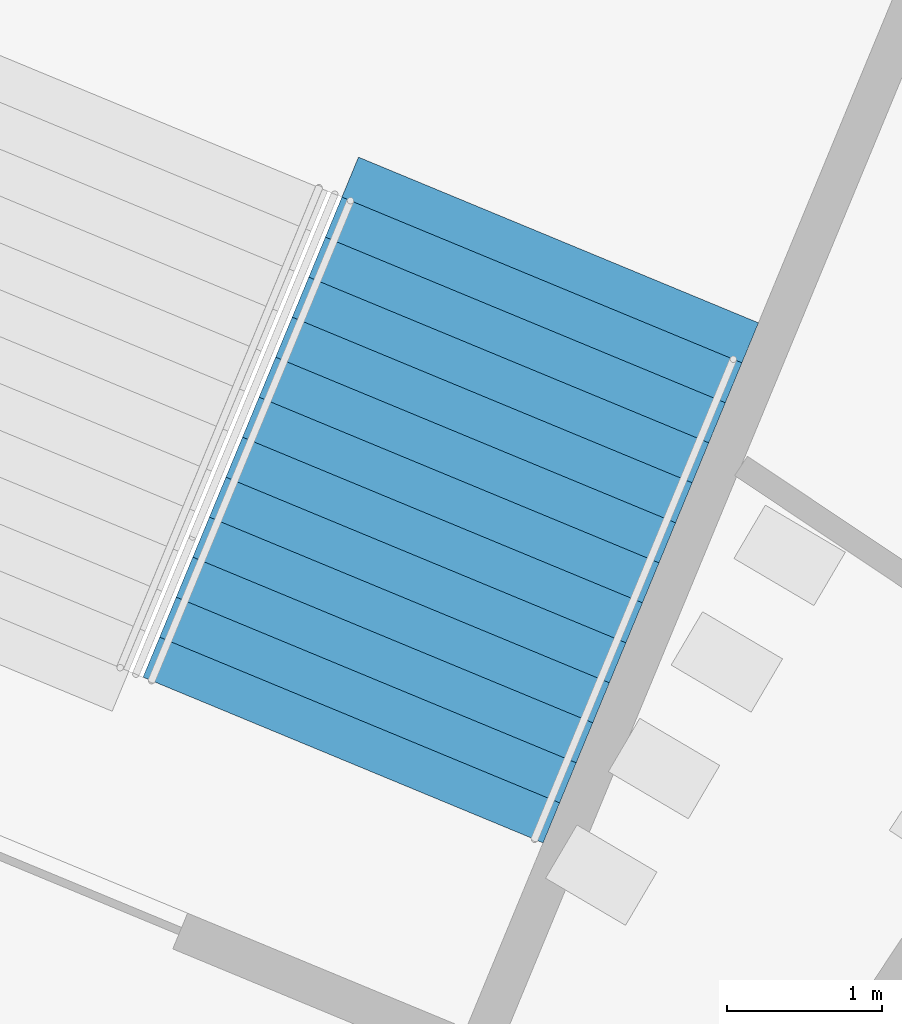
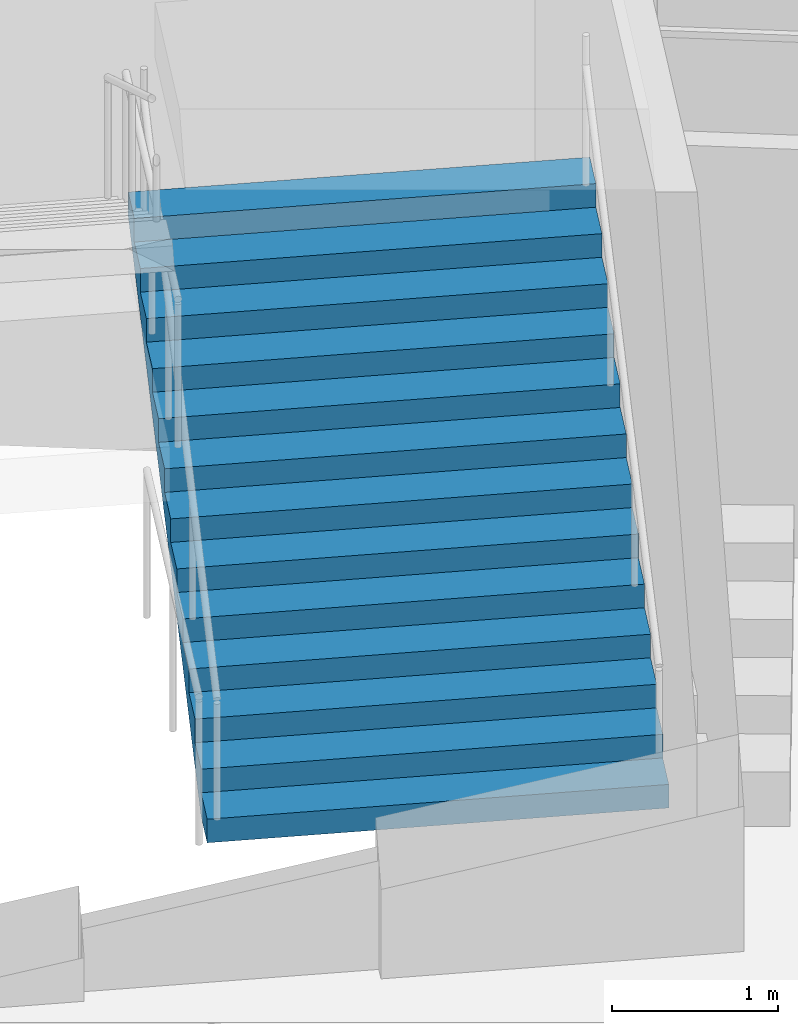
# One storey, part 163 of 177: 1 stair flight, 1 element without a shape of its own.
"""IFC4 building model written with IfcOpenShell, lengths in metres."""

from ifc_helpers import new_model, si_unit, direction, frame, origin, place, context, subcontext, project, spatial, faceted_brep, material, type_object, element, aggregate, save


model = new_model("IFC4")

# Units and contexts
model_context = context("Model", 3, precision=1e-05, world=origin(), true_north=direction((0.0, 1.0)))
body_context = subcontext(model_context, "Body", "Model", "MODEL_VIEW")
ifc_project = project(units=[si_unit("LENGTHUNIT", "METRE"), si_unit("AREAUNIT", "SQUARE_METRE"), si_unit("VOLUMEUNIT", "CUBIC_METRE"), si_unit("PLANEANGLEUNIT", "RADIAN"), si_unit("MASSUNIT", "GRAM", prefix="KILO")], contexts=[model_context])

# Site, building, storey
site_placement = place(None, origin())
site = spatial("IfcSite", under=ifc_project, at=site_placement, CompositionType="ELEMENT")
building_placement = place(site_placement, origin())
building = spatial("IfcBuilding", under=site, at=building_placement, Name="Ogive Plaza Stadium", CompositionType="ELEMENT")
storey_placement = place(building_placement, frame((0.0, 0.0, 18.0)))
storey = spatial("IfcBuildingStorey", under=building, at=storey_placement, Name="L04", CompositionType="ELEMENT", Elevation=18.0)

# Stair, stair flight
ifc_material_1 = material(Name="Concrete C40/50", Category="concrete")
stair_type = type_object("IfcStairType", Name="Exit stair", PredefinedType="STRAIGHT_RUN_STAIR", material=ifc_material_1)
stair_placement = place(storey_placement, origin())
stair = element("IfcStair", 1, at=stair_placement, inside=storey, type_object=stair_type, Name="Exit stair ST38A L04 to L05", PredefinedType="STRAIGHT_RUN_STAIR")
ifc_material_2 = material(Name="Concrete C40/50", Category="concrete")
stair_flight_type = type_object("IfcStairFlightType", Name="Exit stair flight", PredefinedType="STRAIGHT", material=ifc_material_2)
stair_flight_placement = place(storey_placement, frame((54.294921875, 89.932861328125, 0.0), z_axis=(0.0, 0.0, 1.0), x_axis=(0.382683432365, 0.923879532511, 0.0)))
stair_flight = element("IfcStairFlight", 2, at=stair_flight_placement, type_object=stair_flight_type, Name="ST38A flight 1", NumberOfRisers=13, NumberOfTreads=12, PredefinedType="STRAIGHT", RiserHeight=0.173076923, TreadLength=0.28, context=body_context, shape_type="Brep", body=[
    faceted_brep([(0.28515625, -1.39990234375, 0.0), (3.639892578125, -1.39990234375, 2.07373046875), (3.639892578125, -1.39990234375, 2.25), (3.360107421875, -1.39990234375, 2.25), (3.360107421875, -1.39990234375, 2.076904296875), (3.080078125, -1.39990234375, 2.076904296875), (3.080078125, -1.39990234375, 1.90380859375), (2.800048828125, -1.39990234375, 1.90380859375), (2.800048828125, -1.39990234375, 1.730712890625), (2.52001953125, -1.39990234375, 1.730712890625), (2.52001953125, -1.39990234375, 1.5576171875), (2.239990234375, -1.39990234375, 1.5576171875), (2.239990234375, -1.39990234375, 1.384521484375), (1.9599609375, -1.39990234375, 1.384521484375), (1.9599609375, -1.39990234375, 1.21142578125), (1.679931640625, -1.39990234375, 1.21142578125), (1.679931640625, -1.39990234375, 1.03857421875), (1.39990234375, -1.39990234375, 1.03857421875), (1.39990234375, -1.39990234375, 0.865478515625), (1.1201171875, -1.39990234375, 0.865478515625), (1.1201171875, -1.39990234375, 0.6923828125), (0.840087890625, -1.39990234375, 0.6923828125), (0.840087890625, -1.39990234375, 0.519287109375), (0.56005859375, -1.39990234375, 0.519287109375), (0.56005859375, -1.39990234375, 0.34619140625), (0.280029296875, -1.39990234375, 0.34619140625), (0.280029296875, -1.39990234375, 0.173095703125), (0.0, -1.39990234375, 0.173095703125), (0.0, -1.39990234375, 0.0), (0.0, 1.39990234375, 0.0), (0.0, 1.39990234375, 0.173095703125), (0.280029296875, 1.39990234375, 0.173095703125), (0.280029296875, 1.39990234375, 0.34619140625), (0.56005859375, 1.39990234375, 0.34619140625), (0.56005859375, 1.39990234375, 0.519287109375), (0.840087890625, 1.39990234375, 0.519287109375), (0.840087890625, 1.39990234375, 0.6923828125), (1.1201171875, 1.39990234375, 0.6923828125), (1.1201171875, 1.39990234375, 0.865478515625), (1.39990234375, 1.39990234375, 0.865478515625), (1.39990234375, 1.39990234375, 1.03857421875), (1.679931640625, 1.39990234375, 1.03857421875), (1.679931640625, 1.39990234375, 1.21142578125), (1.9599609375, 1.39990234375, 1.21142578125), (1.9599609375, 1.39990234375, 1.384521484375), (2.239990234375, 1.39990234375, 1.384521484375), (2.239990234375, 1.39990234375, 1.5576171875), (2.52001953125, 1.39990234375, 1.5576171875), (2.52001953125, 1.39990234375, 1.730712890625), (2.800048828125, 1.39990234375, 1.730712890625), (2.800048828125, 1.39990234375, 1.90380859375), (3.080078125, 1.39990234375, 1.90380859375), (3.080078125, 1.39990234375, 2.076904296875), (3.360107421875, 1.39990234375, 2.076904296875), (3.360107421875, 1.39990234375, 2.25), (3.639892578125, 1.39990234375, 2.25), (3.639892578125, 1.39990234375, 2.07373046875), (0.28515625, 1.39990234375, 0.0), (0.28515625, -1.0888671875, 0.0), (3.639892578125, -1.0888671875, 2.07373046875), (0.28515625, -0.77783203125, 0.0), (3.639892578125, -0.77783203125, 2.07373046875), (0.28515625, -0.466796875, 0.0), (3.639892578125, -0.466796875, 2.07373046875), (0.28515625, -0.155517578125, 0.0), (3.639892578125, -0.155517578125, 2.07373046875), (0.28515625, 0.155517578125, 0.0), (3.639892578125, 0.155517578125, 2.07373046875), (0.28515625, 0.466796875, 0.0), (3.639892578125, 0.466796875, 2.07373046875), (0.28515625, 0.77783203125, 0.0), (3.639892578125, 0.77783203125, 2.07373046875), (0.28515625, 1.0888671875, 0.0), (3.639892578125, 1.0888671875, 2.07373046875), (3.639892578125, -1.0888671875, 2.25), (3.639892578125, -0.77783203125, 2.25), (3.639892578125, -0.466796875, 2.25), (3.639892578125, -0.155517578125, 2.25), (3.639892578125, 0.155517578125, 2.25), (3.639892578125, 0.466796875, 2.25), (3.639892578125, 0.77783203125, 2.25), (3.639892578125, 1.0888671875, 2.25), (3.360107421875, -1.0888671875, 2.25), (3.360107421875, -0.77783203125, 2.25), (3.360107421875, -0.466796875, 2.25), (3.360107421875, -0.155517578125, 2.25), (3.360107421875, 0.155517578125, 2.25), (3.360107421875, 0.466796875, 2.25), (3.360107421875, 0.77783203125, 2.25), (3.360107421875, 1.0888671875, 2.25), (3.360107421875, -1.0888671875, 2.076904296875), (3.360107421875, -0.77783203125, 2.076904296875), (3.360107421875, -0.466796875, 2.076904296875), (3.360107421875, -0.155517578125, 2.076904296875), (3.360107421875, 0.155517578125, 2.076904296875), (3.360107421875, 0.466796875, 2.076904296875), (3.360107421875, 0.77783203125, 2.076904296875), (3.360107421875, 1.0888671875, 2.076904296875), (3.080078125, -1.0888671875, 2.076904296875), (3.080078125, -0.77783203125, 2.076904296875), (3.080078125, -0.466796875, 2.076904296875), (3.080078125, -0.155517578125, 2.076904296875), (3.080078125, 0.155517578125, 2.076904296875), (3.080078125, 0.466796875, 2.076904296875), (3.080078125, 0.77783203125, 2.076904296875), (3.080078125, 1.0888671875, 2.076904296875), (3.080078125, -1.0888671875, 1.90380859375), (3.080078125, -0.77783203125, 1.90380859375), (3.080078125, -0.466796875, 1.90380859375), (3.080078125, -0.155517578125, 1.90380859375), (3.080078125, 0.155517578125, 1.90380859375), (3.080078125, 0.466796875, 1.90380859375), (3.080078125, 0.77783203125, 1.90380859375), (3.080078125, 1.0888671875, 1.90380859375), (2.800048828125, -1.0888671875, 1.90380859375), (2.800048828125, -0.77783203125, 1.90380859375), (2.800048828125, -0.466796875, 1.90380859375), (2.800048828125, -0.155517578125, 1.90380859375), (2.800048828125, 0.155517578125, 1.90380859375), (2.800048828125, 0.466796875, 1.90380859375), (2.800048828125, 0.77783203125, 1.90380859375), (2.800048828125, 1.0888671875, 1.90380859375), (2.800048828125, -1.0888671875, 1.730712890625), (2.800048828125, -0.77783203125, 1.730712890625), (2.800048828125, -0.466796875, 1.730712890625), (2.800048828125, -0.155517578125, 1.730712890625), (2.800048828125, 0.155517578125, 1.730712890625), (2.800048828125, 0.466796875, 1.730712890625), (2.800048828125, 0.77783203125, 1.730712890625), (2.800048828125, 1.0888671875, 1.730712890625), (2.52001953125, -1.0888671875, 1.730712890625), (2.52001953125, -0.77783203125, 1.730712890625), (2.52001953125, -0.466796875, 1.730712890625), (2.52001953125, -0.155517578125, 1.730712890625), (2.52001953125, 0.155517578125, 1.730712890625), (2.52001953125, 0.466796875, 1.730712890625), (2.52001953125, 0.77783203125, 1.730712890625), (2.52001953125, 1.0888671875, 1.730712890625), (2.52001953125, -1.0888671875, 1.5576171875), (2.52001953125, -0.77783203125, 1.5576171875), (2.52001953125, -0.466796875, 1.5576171875), (2.52001953125, -0.155517578125, 1.5576171875), (2.52001953125, 0.155517578125, 1.5576171875), (2.52001953125, 0.466796875, 1.5576171875), (2.52001953125, 0.77783203125, 1.5576171875), (2.52001953125, 1.0888671875, 1.5576171875), (2.239990234375, -1.0888671875, 1.5576171875), (2.239990234375, -0.77783203125, 1.5576171875), (2.239990234375, -0.466796875, 1.5576171875), (2.239990234375, -0.155517578125, 1.5576171875), (2.239990234375, 0.155517578125, 1.5576171875), (2.239990234375, 0.466796875, 1.5576171875), (2.239990234375, 0.77783203125, 1.5576171875), (2.239990234375, 1.0888671875, 1.5576171875), (2.239990234375, -1.0888671875, 1.384521484375), (2.239990234375, -0.77783203125, 1.384521484375), (2.239990234375, -0.466796875, 1.384521484375), (2.239990234375, -0.155517578125, 1.384521484375), (2.239990234375, 0.155517578125, 1.384521484375), (2.239990234375, 0.466796875, 1.384521484375), (2.239990234375, 0.77783203125, 1.384521484375), (2.239990234375, 1.0888671875, 1.384521484375), (1.9599609375, -1.0888671875, 1.384521484375), (1.9599609375, -0.77783203125, 1.384521484375), (1.9599609375, -0.466796875, 1.384521484375), (1.9599609375, -0.155517578125, 1.384521484375), (1.9599609375, 0.155517578125, 1.384521484375), (1.9599609375, 0.466796875, 1.384521484375), (1.9599609375, 0.77783203125, 1.384521484375), (1.9599609375, 1.0888671875, 1.384521484375), (1.9599609375, -1.0888671875, 1.21142578125), (1.9599609375, -0.77783203125, 1.21142578125), (1.9599609375, -0.466796875, 1.21142578125), (1.9599609375, -0.155517578125, 1.21142578125), (1.9599609375, 0.155517578125, 1.21142578125), (1.9599609375, 0.466796875, 1.21142578125), (1.9599609375, 0.77783203125, 1.21142578125), (1.9599609375, 1.0888671875, 1.21142578125), (1.679931640625, -1.0888671875, 1.21142578125), (1.679931640625, -0.77783203125, 1.21142578125), (1.679931640625, -0.466796875, 1.21142578125), (1.679931640625, -0.155517578125, 1.21142578125), (1.679931640625, 0.155517578125, 1.21142578125), (1.679931640625, 0.466796875, 1.21142578125), (1.679931640625, 0.77783203125, 1.21142578125), (1.679931640625, 1.0888671875, 1.21142578125), (1.679931640625, -1.0888671875, 1.03857421875), (1.679931640625, -0.77783203125, 1.03857421875), (1.679931640625, -0.466796875, 1.03857421875), (1.679931640625, -0.155517578125, 1.03857421875), (1.679931640625, 0.155517578125, 1.03857421875), (1.679931640625, 0.466796875, 1.03857421875), (1.679931640625, 0.77783203125, 1.03857421875), (1.679931640625, 1.0888671875, 1.03857421875), (1.39990234375, -1.0888671875, 1.03857421875), (1.39990234375, -0.77783203125, 1.03857421875), (1.39990234375, -0.466796875, 1.03857421875), (1.39990234375, -0.155517578125, 1.03857421875), (1.39990234375, 0.155517578125, 1.03857421875), (1.39990234375, 0.466796875, 1.03857421875), (1.39990234375, 0.77783203125, 1.03857421875), (1.39990234375, 1.0888671875, 1.03857421875), (1.39990234375, -1.0888671875, 0.865478515625), (1.39990234375, -0.77783203125, 0.865478515625), (1.39990234375, -0.466796875, 0.865478515625), (1.39990234375, -0.155517578125, 0.865478515625), (1.39990234375, 0.155517578125, 0.865478515625), (1.39990234375, 0.466796875, 0.865478515625), (1.39990234375, 0.77783203125, 0.865478515625), (1.39990234375, 1.0888671875, 0.865478515625), (1.1201171875, -1.0888671875, 0.865478515625), (1.1201171875, -0.77783203125, 0.865478515625), (1.1201171875, -0.466796875, 0.865478515625), (1.1201171875, -0.155517578125, 0.865478515625), (1.1201171875, 0.155517578125, 0.865478515625), (1.1201171875, 0.466796875, 0.865478515625), (1.1201171875, 0.77783203125, 0.865478515625), (1.1201171875, 1.0888671875, 0.865478515625), (1.1201171875, -1.0888671875, 0.6923828125), (1.1201171875, -0.77783203125, 0.6923828125), (1.1201171875, -0.466796875, 0.6923828125), (1.1201171875, -0.155517578125, 0.6923828125), (1.1201171875, 0.155517578125, 0.6923828125), (1.1201171875, 0.466796875, 0.6923828125), (1.1201171875, 0.77783203125, 0.6923828125), (1.1201171875, 1.0888671875, 0.6923828125), (0.840087890625, -1.0888671875, 0.6923828125), (0.840087890625, -0.77783203125, 0.6923828125), (0.840087890625, -0.466796875, 0.6923828125), (0.840087890625, -0.155517578125, 0.6923828125), (0.840087890625, 0.155517578125, 0.6923828125), (0.840087890625, 0.466796875, 0.6923828125), (0.840087890625, 0.77783203125, 0.6923828125), (0.840087890625, 1.0888671875, 0.6923828125), (0.840087890625, -1.0888671875, 0.519287109375), (0.840087890625, -0.77783203125, 0.519287109375), (0.840087890625, -0.466796875, 0.519287109375), (0.840087890625, -0.155517578125, 0.519287109375), (0.840087890625, 0.155517578125, 0.519287109375), (0.840087890625, 0.466796875, 0.519287109375), (0.840087890625, 0.77783203125, 0.519287109375), (0.840087890625, 1.0888671875, 0.519287109375), (0.56005859375, -1.0888671875, 0.519287109375), (0.56005859375, -0.77783203125, 0.519287109375), (0.56005859375, -0.466796875, 0.519287109375), (0.56005859375, -0.155517578125, 0.519287109375), (0.56005859375, 0.155517578125, 0.519287109375), (0.56005859375, 0.466796875, 0.519287109375), (0.56005859375, 0.77783203125, 0.519287109375), (0.56005859375, 1.0888671875, 0.519287109375), (0.56005859375, -1.0888671875, 0.34619140625), (0.56005859375, -0.77783203125, 0.34619140625), (0.56005859375, -0.466796875, 0.34619140625), (0.56005859375, -0.155517578125, 0.34619140625), (0.56005859375, 0.155517578125, 0.34619140625), (0.56005859375, 0.466796875, 0.34619140625), (0.56005859375, 0.77783203125, 0.34619140625), (0.56005859375, 1.0888671875, 0.34619140625), (0.280029296875, -1.0888671875, 0.34619140625), (0.280029296875, -0.77783203125, 0.34619140625), (0.280029296875, -0.466796875, 0.34619140625), (0.280029296875, -0.155517578125, 0.34619140625), (0.280029296875, 0.155517578125, 0.34619140625), (0.280029296875, 0.466796875, 0.34619140625), (0.280029296875, 0.77783203125, 0.34619140625), (0.280029296875, 1.0888671875, 0.34619140625), (0.280029296875, -1.0888671875, 0.173095703125), (0.280029296875, -0.77783203125, 0.173095703125), (0.280029296875, -0.466796875, 0.173095703125), (0.280029296875, -0.155517578125, 0.173095703125), (0.280029296875, 0.155517578125, 0.173095703125), (0.280029296875, 0.466796875, 0.173095703125), (0.280029296875, 0.77783203125, 0.173095703125), (0.280029296875, 1.0888671875, 0.173095703125), (0.0, -1.0888671875, 0.173095703125), (0.0, -0.77783203125, 0.173095703125), (0.0, -0.466796875, 0.173095703125), (0.0, -0.155517578125, 0.173095703125), (0.0, 0.155517578125, 0.173095703125), (0.0, 0.466796875, 0.173095703125), (0.0, 0.77783203125, 0.173095703125), (0.0, 1.0888671875, 0.173095703125), (0.0, -1.0888671875, 0.0), (0.0, -0.77783203125, 0.0), (0.0, -0.466796875, 0.0), (0.0, -0.155517578125, 0.0), (0.0, 0.155517578125, 0.0), (0.0, 0.466796875, 0.0), (0.0, 0.77783203125, 0.0), (0.0, 1.0888671875, 0.0)], [[[0, 1, 2, 3, 4, 5, 6, 7, 8, 9, 10, 11, 12, 13, 14, 15, 16, 17, 18, 19, 20, 21, 22, 23, 24, 25, 26, 27, 28]], [[29, 30, 31, 32, 33, 34, 35, 36, 37, 38, 39, 40, 41, 42, 43, 44, 45, 46, 47, 48, 49, 50, 51, 52, 53, 54, 55, 56, 57]], [[0, 58, 59, 1]], [[58, 60, 61, 59]], [[60, 62, 63, 61]], [[62, 64, 65, 63]], [[64, 66, 67, 65]], [[66, 68, 69, 67]], [[68, 70, 71, 69]], [[70, 72, 73, 71]], [[72, 57, 56, 73]], [[1, 59, 74, 2]], [[59, 61, 75, 74]], [[61, 63, 76, 75]], [[63, 65, 77, 76]], [[65, 67, 78, 77]], [[67, 69, 79, 78]], [[69, 71, 80, 79]], [[71, 73, 81, 80]], [[73, 56, 55, 81]], [[2, 74, 82, 3]], [[74, 75, 83, 82]], [[75, 76, 84, 83]], [[76, 77, 85, 84]], [[77, 78, 86, 85]], [[78, 79, 87, 86]], [[79, 80, 88, 87]], [[80, 81, 89, 88]], [[81, 55, 54, 89]], [[3, 82, 90, 4]], [[82, 83, 91, 90]], [[83, 84, 92, 91]], [[84, 85, 93, 92]], [[85, 86, 94, 93]], [[86, 87, 95, 94]], [[87, 88, 96, 95]], [[88, 89, 97, 96]], [[89, 54, 53, 97]], [[4, 90, 98, 5]], [[90, 91, 99, 98]], [[91, 92, 100, 99]], [[92, 93, 101, 100]], [[93, 94, 102, 101]], [[94, 95, 103, 102]], [[95, 96, 104, 103]], [[96, 97, 105, 104]], [[97, 53, 52, 105]], [[5, 98, 106, 6]], [[98, 99, 107, 106]], [[99, 100, 108, 107]], [[100, 101, 109, 108]], [[101, 102, 110, 109]], [[102, 103, 111, 110]], [[103, 104, 112, 111]], [[104, 105, 113, 112]], [[105, 52, 51, 113]], [[6, 106, 114, 7]], [[106, 107, 115, 114]], [[107, 108, 116, 115]], [[108, 109, 117, 116]], [[109, 110, 118, 117]], [[110, 111, 119, 118]], [[111, 112, 120, 119]], [[112, 113, 121, 120]], [[113, 51, 50, 121]], [[7, 114, 122, 8]], [[114, 115, 123, 122]], [[115, 116, 124, 123]], [[116, 117, 125, 124]], [[117, 118, 126, 125]], [[118, 119, 127, 126]], [[119, 120, 128, 127]], [[120, 121, 129, 128]], [[121, 50, 49, 129]], [[8, 122, 130, 9]], [[122, 123, 131, 130]], [[123, 124, 132, 131]], [[124, 125, 133, 132]], [[125, 126, 134, 133]], [[126, 127, 135, 134]], [[127, 128, 136, 135]], [[128, 129, 137, 136]], [[129, 49, 48, 137]], [[9, 130, 138, 10]], [[130, 131, 139, 138]], [[131, 132, 140, 139]], [[132, 133, 141, 140]], [[133, 134, 142, 141]], [[134, 135, 143, 142]], [[135, 136, 144, 143]], [[136, 137, 145, 144]], [[137, 48, 47, 145]], [[10, 138, 146, 11]], [[138, 139, 147, 146]], [[139, 140, 148, 147]], [[140, 141, 149, 148]], [[141, 142, 150, 149]], [[142, 143, 151, 150]], [[143, 144, 152, 151]], [[144, 145, 153, 152]], [[145, 47, 46, 153]], [[11, 146, 154, 12]], [[146, 147, 155, 154]], [[147, 148, 156, 155]], [[148, 149, 157, 156]], [[149, 150, 158, 157]], [[150, 151, 159, 158]], [[151, 152, 160, 159]], [[152, 153, 161, 160]], [[153, 46, 45, 161]], [[12, 154, 162, 13]], [[154, 155, 163, 162]], [[155, 156, 164, 163]], [[156, 157, 165, 164]], [[157, 158, 166, 165]], [[158, 159, 167, 166]], [[159, 160, 168, 167]], [[160, 161, 169, 168]], [[161, 45, 44, 169]], [[13, 162, 170, 14]], [[162, 163, 171, 170]], [[163, 164, 172, 171]], [[164, 165, 173, 172]], [[165, 166, 174, 173]], [[166, 167, 175, 174]], [[167, 168, 176, 175]], [[168, 169, 177, 176]], [[169, 44, 43, 177]], [[14, 170, 178, 15]], [[170, 171, 179, 178]], [[171, 172, 180, 179]], [[172, 173, 181, 180]], [[173, 174, 182, 181]], [[174, 175, 183, 182]], [[175, 176, 184, 183]], [[176, 177, 185, 184]], [[177, 43, 42, 185]], [[15, 178, 186, 16]], [[178, 179, 187, 186]], [[179, 180, 188, 187]], [[180, 181, 189, 188]], [[181, 182, 190, 189]], [[182, 183, 191, 190]], [[183, 184, 192, 191]], [[184, 185, 193, 192]], [[185, 42, 41, 193]], [[16, 186, 194, 17]], [[186, 187, 195, 194]], [[187, 188, 196, 195]], [[188, 189, 197, 196]], [[189, 190, 198, 197]], [[190, 191, 199, 198]], [[191, 192, 200, 199]], [[192, 193, 201, 200]], [[193, 41, 40, 201]], [[17, 194, 202, 18]], [[194, 195, 203, 202]], [[195, 196, 204, 203]], [[196, 197, 205, 204]], [[197, 198, 206, 205]], [[198, 199, 207, 206]], [[199, 200, 208, 207]], [[200, 201, 209, 208]], [[201, 40, 39, 209]], [[18, 202, 210, 19]], [[202, 203, 211, 210]], [[203, 204, 212, 211]], [[204, 205, 213, 212]], [[205, 206, 214, 213]], [[206, 207, 215, 214]], [[207, 208, 216, 215]], [[208, 209, 217, 216]], [[209, 39, 38, 217]], [[19, 210, 218, 20]], [[210, 211, 219, 218]], [[211, 212, 220, 219]], [[212, 213, 221, 220]], [[213, 214, 222, 221]], [[214, 215, 223, 222]], [[215, 216, 224, 223]], [[216, 217, 225, 224]], [[217, 38, 37, 225]], [[20, 218, 226, 21]], [[218, 219, 227, 226]], [[219, 220, 228, 227]], [[220, 221, 229, 228]], [[221, 222, 230, 229]], [[222, 223, 231, 230]], [[223, 224, 232, 231]], [[224, 225, 233, 232]], [[225, 37, 36, 233]], [[21, 226, 234, 22]], [[226, 227, 235, 234]], [[227, 228, 236, 235]], [[228, 229, 237, 236]], [[229, 230, 238, 237]], [[230, 231, 239, 238]], [[231, 232, 240, 239]], [[232, 233, 241, 240]], [[233, 36, 35, 241]], [[22, 234, 242, 23]], [[234, 235, 243, 242]], [[235, 236, 244, 243]], [[236, 237, 245, 244]], [[237, 238, 246, 245]], [[238, 239, 247, 246]], [[239, 240, 248, 247]], [[240, 241, 249, 248]], [[241, 35, 34, 249]], [[23, 242, 250, 24]], [[242, 243, 251, 250]], [[243, 244, 252, 251]], [[244, 245, 253, 252]], [[245, 246, 254, 253]], [[246, 247, 255, 254]], [[247, 248, 256, 255]], [[248, 249, 257, 256]], [[249, 34, 33, 257]], [[24, 250, 258, 25]], [[250, 251, 259, 258]], [[251, 252, 260, 259]], [[252, 253, 261, 260]], [[253, 254, 262, 261]], [[254, 255, 263, 262]], [[255, 256, 264, 263]], [[256, 257, 265, 264]], [[257, 33, 32, 265]], [[25, 258, 266, 26]], [[258, 259, 267, 266]], [[259, 260, 268, 267]], [[260, 261, 269, 268]], [[261, 262, 270, 269]], [[262, 263, 271, 270]], [[263, 264, 272, 271]], [[264, 265, 273, 272]], [[265, 32, 31, 273]], [[26, 266, 274, 27]], [[266, 267, 275, 274]], [[267, 268, 276, 275]], [[268, 269, 277, 276]], [[269, 270, 278, 277]], [[270, 271, 279, 278]], [[271, 272, 280, 279]], [[272, 273, 281, 280]], [[273, 31, 30, 281]], [[27, 274, 282, 28]], [[274, 275, 283, 282]], [[275, 276, 284, 283]], [[276, 277, 285, 284]], [[277, 278, 286, 285]], [[278, 279, 287, 286]], [[279, 280, 288, 287]], [[280, 281, 289, 288]], [[281, 30, 29, 289]], [[28, 282, 58, 0]], [[282, 283, 60, 58]], [[283, 284, 62, 60]], [[284, 285, 64, 62]], [[285, 286, 66, 64]], [[286, 287, 68, 66]], [[287, 288, 70, 68]], [[288, 289, 72, 70]], [[289, 29, 57, 72]]]),
])
aggregate(stair, [stair_flight])

save(model, "model.ifc")
